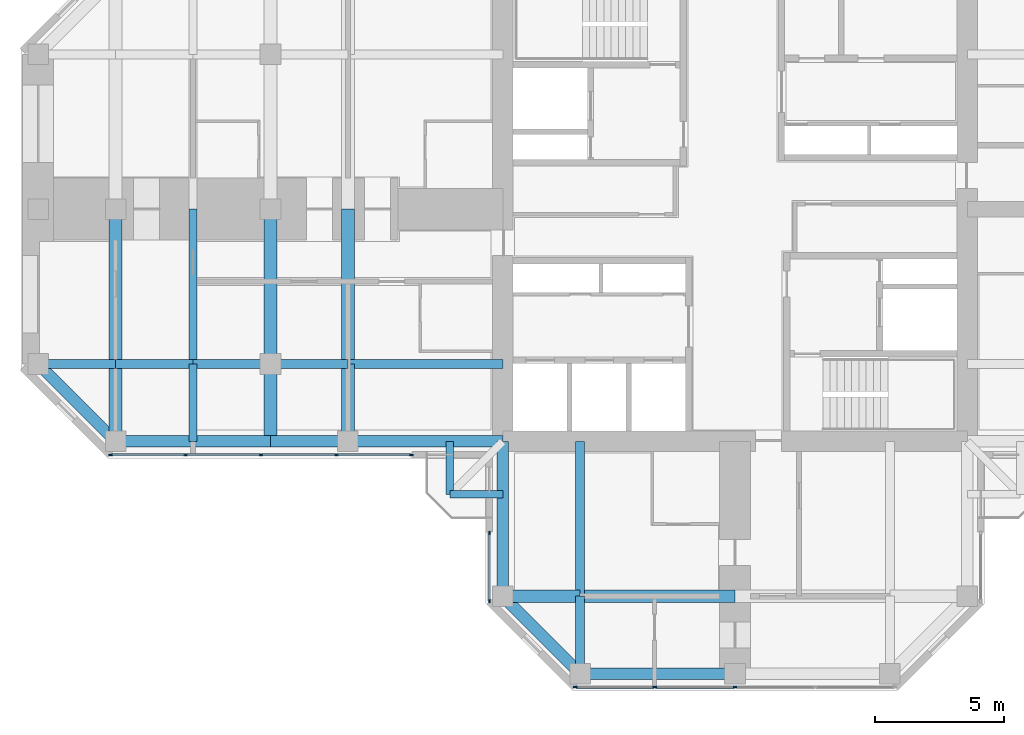
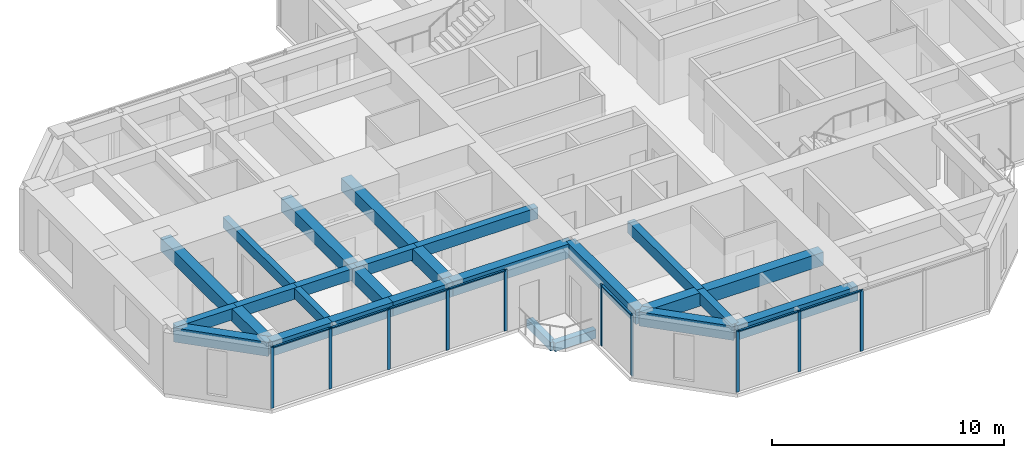
# One storey, part 2 of 13: 27 beams, 17 members, 3 elements without a shape of their own.
"""IFC4 building model written with IfcOpenShell, lengths in metres."""

import ifcopenshell
import ifcopenshell.guid

model = None  # the IFC model being written
_history = None  # IfcOwnerHistory: only IFC2X3 demands one
_inside = {}  # id of a spatial element -> (the spatial element, [elements in it])
_under = {}  # id of a project, library or spatial element -> (it, [spatial elements below it])
_declared = {}  # id of a project -> (the project, [libraries it declares])
_typed = {}  # id of a type object -> (the type object, [elements of that type])
_made_of = {}  # id of a material, layer set ... -> (it, [elements and type objects made of it])


def new_model(schema):
    """Start an empty IFC model of exactly this schema.

    Asked for "IFC4X3", IfcOpenShell would pick the latest addendum, in which some entities
    have other attributes; the version numbers below select the first issue.
    IFC2X3 requires an IfcOwnerHistory on every rooted entity: one is made here for all.
    """
    global model, _history
    if schema == "IFC4X3":
        model = ifcopenshell.file(schema_version=(4, 3, 0, 0))
    else:
        model = ifcopenshell.file(schema=schema)
    _inside.clear()
    _under.clear()
    _declared.clear()
    _typed.clear()
    _made_of.clear()
    _history = None
    if model.schema == "IFC2X3":
        org = make("IfcOrganization", Name="unknown")
        user = make(
            "IfcPersonAndOrganization",
            ThePerson=make("IfcPerson", FamilyName="unknown"),
            TheOrganization=org,
        )
        app = make(
            "IfcApplication",
            ApplicationDeveloper=org,
            Version="unknown",
            ApplicationFullName="unknown",
            ApplicationIdentifier="unknown",
        )
        _history = make(
            "IfcOwnerHistory",
            OwningUser=user,
            OwningApplication=app,
            ChangeAction="ADDED",
            CreationDate=0,
        )
    return model


def make(cls, **values):
    """One entity of the class cls with the attributes given. An attribute that is None is left unset."""
    return model.create_entity(
        cls, **{name: value for name, value in values.items() if value is not None}
    )


def rooted(cls, **values):
    """An entity with a GlobalId (a new one), such as an element, a storey or a relation."""
    return make(cls, GlobalId=ifcopenshell.guid.new(), OwnerHistory=_history, **values)


def si_unit(unit_type, name, prefix=None):
    """IfcSIUnit, for example si_unit("LENGTHUNIT", "METRE", prefix="MILLI")."""
    return make("IfcSIUnit", UnitType=unit_type, Prefix=prefix, Name=name)


def assignment(units):
    """IfcUnitAssignment: the units of a project."""
    return None if units is None else make("IfcUnitAssignment", Units=units)


def point(xyz):
    """IfcCartesianPoint."""
    return None if xyz is None else make("IfcCartesianPoint", Coordinates=xyz)


def direction(xyz):
    """IfcDirection."""
    return None if xyz is None else make("IfcDirection", DirectionRatios=xyz)


def frame(location, z_axis=None, x_axis=None):
    """IfcAxis2Placement3D, a coordinate frame: its origin and axes. An axis left out is left unset."""
    return make(
        "IfcAxis2Placement3D",
        Location=point(location),
        Axis=direction(z_axis),
        RefDirection=direction(x_axis),
    )


def frame_2d(location, x_axis=None):
    """IfcAxis2Placement2D, a coordinate frame in the plane: its origin and x axis."""
    return make(
        "IfcAxis2Placement2D", Location=point(location), RefDirection=direction(x_axis)
    )


def origin():
    """The frame at (0, 0, 0) with its axes left unset."""
    return frame((0.0, 0.0, 0.0))


def origin_2d():
    """The frame at (0, 0) in the plane with its x axis left unset."""
    return frame_2d((0.0, 0.0))


def place(relative_to, where):
    """IfcLocalPlacement: puts the frame where relative to a parent placement (None: the world)."""
    return make(
        "IfcLocalPlacement", PlacementRelTo=relative_to, RelativePlacement=where
    )


def context(
    kind, dimensions, precision=None, world=None, true_north=None, identifier=None
):
    """IfcGeometricRepresentationContext, for example the 3D "Model" context."""
    return make(
        "IfcGeometricRepresentationContext",
        ContextIdentifier=identifier,
        ContextType=kind,
        CoordinateSpaceDimension=dimensions,
        Precision=precision,
        WorldCoordinateSystem=world,
        TrueNorth=true_north,
    )


def subcontext(parent, identifier, kind, view, scale=None):
    """IfcGeometricRepresentationSubContext, for example "Body" below "Model"."""
    return make(
        "IfcGeometricRepresentationSubContext",
        ContextIdentifier=identifier,
        ContextType=kind,
        ParentContext=parent,
        TargetScale=scale,
        TargetView=view,
    )


def project(units=None, contexts=None):
    """IfcProject with its units and contexts."""
    return rooted(
        "IfcProject",
        Name="project",
        RepresentationContexts=contexts,
        UnitsInContext=assignment(units),
    )


def spatial(cls, under=None, at=None, **own):
    """A site, building, storey or space (cls), placed at a placement, below another one or the project."""
    s = rooted(cls, ObjectPlacement=at, **own)
    if under is not None:
        _under.setdefault(under.id(), (under, []))[1].append(s)
    return s


def profile(cls, at=None, kind="AREA", **sizes):
    """A parametric profile (cls). Its sizes go by their IFC names, for example OverallWidth=200.0."""
    return make(cls, ProfileType=kind, Position=at, **sizes)


def rectangle(**sizes):
    """IfcRectangleProfileDef."""
    return profile("IfcRectangleProfileDef", **sizes)


def extrude(swept, where, along, depth):
    """IfcExtrudedAreaSolid: the profile swept, set in the frame where, extruded along a direction by depth."""
    return make(
        "IfcExtrudedAreaSolid",
        SweptArea=swept,
        Position=where,
        ExtrudedDirection=direction(along),
        Depth=depth,
    )


def shape(context_of_items, identifier, shape_type, items):
    """IfcShapeRepresentation: the items that make up one representation, for example the "Body"."""
    return make(
        "IfcShapeRepresentation",
        ContextOfItems=context_of_items,
        RepresentationIdentifier=identifier,
        RepresentationType=shape_type,
        Items=items,
    )


def material(Name=None, Category=None):
    """IfcMaterial."""
    return make("IfcMaterial", Name=Name, Category=Category)


def material_profile(
    of_material, cross_section, Name=None, Category=None, Priority=None
):
    """IfcMaterialProfile: a cross section and its material."""
    return make(
        "IfcMaterialProfile",
        Name=Name,
        Material=of_material,
        Profile=cross_section,
        Priority=Priority,
        Category=Category,
    )


def profile_set(profiles, Name=None, composite=None):
    """IfcMaterialProfileSet."""
    return make(
        "IfcMaterialProfileSet",
        Name=Name,
        MaterialProfiles=profiles,
        CompositeProfile=composite,
    )


def made_of(thing, what):
    """Note that an element or type object is made of a material, layer set ...; save() writes the relation."""
    if what is not None:
        _made_of.setdefault(what.id(), (what, []))[1].append(thing)
    return thing


def type_object(cls, material=None, **own):
    """A type object (cls), such as IfcWallType, which elements share."""
    return made_of(rooted(cls, **own), material)


def element(
    cls,
    number,
    at=None,
    inside=None,
    cuts=None,
    type_object=None,
    material=None,
    context=None,
    identifier="Body",
    shape_type=None,
    held_by="IfcProductDefinitionShape",
    body=None,
    shapes=None,
    **own,
):
    """One element of the class cls, such as IfcWall. Its Tag is "e" and its number.

    at: its placement. inside: the storey or other place that contains it. cuts: it is an
    opening in that element (IfcRelVoidsElement). A single representation is given by context,
    identifier, shape_type and body (its items); several are given by shapes. held_by: the class
    of the entity that holds the representations. save() writes the other relations.
    """
    e = rooted(cls, Tag="e%d" % number, ObjectPlacement=at, **own)
    if body is not None:
        shapes = [shape(context, identifier, shape_type, body)]
    if shapes is not None:
        e.Representation = make(held_by, Representations=shapes)
    if inside is not None:
        _inside.setdefault(inside.id(), (inside, []))[1].append(e)
    if cuts is not None:
        rooted(
            "IfcRelVoidsElement", RelatingBuildingElement=cuts, RelatedOpeningElement=e
        )
    if type_object is not None:
        _typed.setdefault(type_object.id(), (type_object, []))[1].append(e)
    return made_of(e, material)


def aggregate(whole, parts):
    """IfcRelAggregates: a whole, such as a stair, and the parts it consists of."""
    return rooted("IfcRelAggregates", RelatingObject=whole, RelatedObjects=parts)


def save(model, path):
    """Write the relations noted so far, then the file.

    IfcRelAggregates (storeys below a building ...), IfcRelContainedInSpatialStructure (elements
    in a storey), IfcRelDefinesByType, IfcRelAssociatesMaterial and IfcRelDeclares: one each for
    every whole, place, type object, material and project.
    """
    for whole, parts in _under.values():
        aggregate(whole, parts)
    for where, things in _inside.values():
        rooted(
            "IfcRelContainedInSpatialStructure",
            RelatedElements=things,
            RelatingStructure=where,
        )
    for kind, things in _typed.values():
        rooted("IfcRelDefinesByType", RelatedObjects=things, RelatingType=kind)
    for what, things in _made_of.values():
        rooted("IfcRelAssociatesMaterial", RelatedObjects=things, RelatingMaterial=what)
    for by, libraries in _declared.values():
        rooted("IfcRelDeclares", RelatingContext=by, RelatedDefinitions=libraries)
    model.write(path)


model = new_model("IFC4")

# Units and contexts
model_context = context("Model", 3, precision=1e-05, world=origin(), true_north=direction((0.0, 1.0)))
body_context = subcontext(model_context, "Body", "Model", "MODEL_VIEW")
ifc_project = project(units=[si_unit("LENGTHUNIT", "METRE"), si_unit("AREAUNIT", "SQUARE_METRE"), si_unit("VOLUMEUNIT", "CUBIC_METRE"), si_unit("PLANEANGLEUNIT", "RADIAN"), si_unit("MASSUNIT", "GRAM", prefix="KILO")], contexts=[model_context])

# Site, building, storey
site_placement = place(None, origin())
site = spatial("IfcSite", under=ifc_project, at=site_placement, CompositionType="ELEMENT")
building_placement = place(site_placement, origin())
building = spatial("IfcBuilding", under=site, at=building_placement, Name="Torre Cruceta", CompositionType="ELEMENT")
storey_placement = place(building_placement, frame((0.0, 0.0, 245.89990234375)))
storey = spatial("IfcBuildingStorey", under=building, at=storey_placement, Name="L63", CompositionType="ELEMENT", Elevation=245.89990234375)

# Beams
ifc_material_1 = material(Name="Concrete G60 (fck 60 MPa)", Category="concrete")
ifc_material_profile_1 = material_profile(ifc_material_1, rectangle(XDim=0.300048828125, YDim=0.449951171875, at=origin_2d()), Name="RC 300X450")
ifc_profile_set_1 = profile_set([ifc_material_profile_1], Name="Concrete G60 (fck 60 MPa)")
beam_type_1 = type_object("IfcBeamType", Name="BALCONY CANTILEVER BEAM RC 300X450", PredefinedType="BEAM", material=ifc_profile_set_1)
for number, where, z_axis, x_axis, name in (
    (1, (-11.050537109375, -9.0, -0.40478515625), (0.0, -1.0, 0.0), (1.0, 0.0, 0.0), "BB1 balcony edge beam L63 W-X"),
    (2, (-9.0, -11.050537109375, -0.40478515625), (-1.0, 0.0, 0.0), (0.0, -1.0, 0.0), "BB1 balcony edge beam L63 W-Y"),
):
    element("IfcBeam", number, at=place(storey_placement, frame(where, z_axis=z_axis, x_axis=x_axis)), inside=storey, type_object=beam_type_1, Name=name, PredefinedType="BEAM", context=body_context, shape_type="SweptSolid", body=[
        extrude(rectangle(XDim=0.300048828125, YDim=0.449951171875, at=origin_2d()), origin(), (0.0, 0.0, 1.0), 2.050537109375),
    ])
ifc_material_2 = material(Name="Concrete G60 (fck 60 MPa)", Category="concrete")
ifc_material_profile_2 = material_profile(ifc_material_2, rectangle(XDim=0.35009765625, YDim=0.60009765625, at=origin_2d()), Name="RC 350X600")
ifc_profile_set_2 = profile_set([ifc_material_profile_2], Name="Concrete G60 (fck 60 MPa)")
beam_type_2 = type_object("IfcBeamType", Name="COLUMN LINE BEAM RC 350X600", PredefinedType="BEAM", material=ifc_profile_set_2)
beam_1_placement = place(storey_placement, frame((-6.0, -9.0, 2.920166015625), z_axis=(0.0, -1.0, 0.0), x_axis=(1.0, 0.0, 0.0)))
element("IfcBeam", 3, at=beam_1_placement, inside=storey, type_object=beam_type_2, Name="LB9 L63 S col- 1", PredefinedType="BEAM", context=body_context, shape_type="SweptSolid", body=[
    extrude(rectangle(XDim=0.35009765625, YDim=0.60009765625, at=origin_2d()), origin(), (0.0, 0.0, 1.0), 6.0),
])
beam_2_placement = place(storey_placement, frame((-6.0, -15.0, 2.920166015625), z_axis=(0.0, -1.0, 0.0), x_axis=(1.0, 0.0, 0.0)))
element("IfcBeam", 4, at=beam_2_placement, inside=storey, type_object=beam_type_2, Name="LB9 L63 S col- 2", PredefinedType="BEAM", context=body_context, shape_type="SweptSolid", body=[
    extrude(rectangle(XDim=0.35009765625, YDim=0.60009765625, at=origin_2d()), origin(), (0.0, 0.0, 1.0), 3.0),
])
beam_3_placement = place(storey_placement, frame((-9.0, -6.0, 2.920166015625), z_axis=(-1.0, 0.0, 0.0), x_axis=(0.0, -1.0, 0.0)))
element("IfcBeam", 5, at=beam_3_placement, inside=storey, type_object=beam_type_2, Name="LB9 L63 W col+ 1", PredefinedType="BEAM", context=body_context, shape_type="SweptSolid", body=[
    extrude(rectangle(XDim=0.35009765625, YDim=0.60009765625, at=origin_2d()), origin(), (0.0, 0.0, 1.0), 6.0),
])
for number, where, z_axis, x_axis, name in (
    (6, (-15.0, -6.0, 2.920166015625), (-1.0, 0.0, 0.0), (0.0, -1.0, 0.0), "LB9 L63 W col+ 2"),
    (7, (-18.0, -6.0, 2.920166015625), (-1.0, 0.0, 0.0), (0.0, -1.0, 0.0), "LB9 L63 W col+ 3"),
    (8, (-21.0, -6.0, 2.920166015625), (-1.0, 0.0, 0.0), (0.0, -1.0, 0.0), "LB9 L63 W col+ 4"),
    (9, (-24.0, -6.0, 2.920166015625), (-1.0, 0.0, 0.0), (0.0, -1.0, 0.0), "LB9 L63 W col+ 5"),
):
    element("IfcBeam", number, at=place(storey_placement, frame(where, z_axis=z_axis, x_axis=x_axis)), inside=storey, type_object=beam_type_2, Name=name, PredefinedType="BEAM", context=body_context, shape_type="SweptSolid", body=[
        extrude(rectangle(XDim=0.35009765625, YDim=0.60009765625, at=origin_2d()), origin(), (0.0, 0.0, 1.0), 3.0),
    ])
ifc_material_3 = material(Name="Concrete G60 (fck 60 MPa)", Category="concrete")
ifc_material_profile_3 = material_profile(ifc_material_3, rectangle(XDim=0.5, YDim=0.699951171875, at=origin_2d()), Name="RC 500X700")
ifc_profile_set_3 = profile_set([ifc_material_profile_3], Name="Concrete G60 (fck 60 MPa)")
beam_type_3 = type_object("IfcBeamType", Name="CROSS BEAM RC 500X700", PredefinedType="BEAM", material=ifc_profile_set_3)
beam_4_placement = place(storey_placement, frame((-9.0, -15.0, 2.8701171875), z_axis=(1.0, 0.0, 0.0), x_axis=(0.0, 1.0, 0.0)))
element("IfcBeam", 10, at=beam_4_placement, inside=storey, type_object=beam_type_3, Name="GB7 L63 S cross15 1", PredefinedType="BEAM", context=body_context, shape_type="SweptSolid", body=[
    extrude(rectangle(XDim=0.5, YDim=0.699951171875, at=origin_2d()), origin(), (0.0, 0.0, 1.0), 3.0),
])
for number, where, z_axis, x_axis, name in (
    (11, (-6.0, -15.0, 2.8701171875), (1.0, 0.0, 0.0), (0.0, 1.0, 0.0), "GB7 L63 S cross15 2"),
    (12, (-15.0, 0.0, 2.8701171875), (0.0, -1.0, 0.0), (1.0, 0.0, 0.0), "GB7 L63 W cross15 3"),
):
    element("IfcBeam", number, at=place(storey_placement, frame(where, z_axis=z_axis, x_axis=x_axis)), inside=storey, type_object=beam_type_3, Name=name, PredefinedType="BEAM", context=body_context, shape_type="SweptSolid", body=[
        extrude(rectangle(XDim=0.5, YDim=0.699951171875, at=origin_2d()), origin(), (0.0, 0.0, 1.0), 6.0),
    ])
beam_5_placement = place(storey_placement, frame((-15.0, -6.0, 2.8701171875), z_axis=(0.0, -1.0, 0.0), x_axis=(1.0, 0.0, 0.0)))
element("IfcBeam", 13, at=beam_5_placement, inside=storey, type_object=beam_type_3, Name="GB7 L63 W cross15 4", PredefinedType="BEAM", context=body_context, shape_type="SweptSolid", body=[
    extrude(rectangle(XDim=0.5, YDim=0.699951171875, at=origin_2d()), origin(), (0.0, 0.0, 1.0), 3.0),
])
beam_6_placement = place(storey_placement, frame((-18.0, 0.0, 2.8701171875), z_axis=(0.0, -1.0, 0.0), x_axis=(1.0, 0.0, 0.0)))
element("IfcBeam", 14, at=beam_6_placement, inside=storey, type_object=beam_type_3, Name="GB7 L63 W cross18 3", PredefinedType="BEAM", context=body_context, shape_type="SweptSolid", body=[
    extrude(rectangle(XDim=0.5, YDim=0.699951171875, at=origin_2d()), origin(), (0.0, 0.0, 1.0), 6.0),
])
beam_7_placement = place(storey_placement, frame((-18.0, -6.0, 2.8701171875), z_axis=(0.0, -1.0, 0.0), x_axis=(1.0, 0.0, 0.0)))
element("IfcBeam", 15, at=beam_7_placement, inside=storey, type_object=beam_type_3, Name="GB7 L63 W cross18 4", PredefinedType="BEAM", context=body_context, shape_type="SweptSolid", body=[
    extrude(rectangle(XDim=0.5, YDim=0.699951171875, at=origin_2d()), origin(), (0.0, 0.0, 1.0), 3.0),
])
beam_8_placement = place(storey_placement, frame((-24.0, 0.0, 2.8701171875), z_axis=(0.0, -1.0, 0.0), x_axis=(1.0, 0.0, 0.0)))
element("IfcBeam", 16, at=beam_8_placement, inside=storey, type_object=beam_type_3, Name="GB7 L63 W cross24 3", PredefinedType="BEAM", context=body_context, shape_type="SweptSolid", body=[
    extrude(rectangle(XDim=0.5, YDim=0.699951171875, at=origin_2d()), origin(), (0.0, 0.0, 1.0), 6.0),
])
beam_9_placement = place(storey_placement, frame((-24.0, -6.0, 2.8701171875), z_axis=(0.0, -1.0, 0.0), x_axis=(1.0, 0.0, 0.0)))
element("IfcBeam", 17, at=beam_9_placement, inside=storey, type_object=beam_type_3, Name="GB7 L63 W cross24 4", PredefinedType="BEAM", context=body_context, shape_type="SweptSolid", body=[
    extrude(rectangle(XDim=0.5, YDim=0.699951171875, at=origin_2d()), origin(), (0.0, 0.0, 1.0), 3.0),
])

# Curtain wall, members
ifc_material_4 = material(Name="Aluminium unitised curtain wall", Category="aluminium")
curtain_wall_type = type_object("IfcCurtainWallType", Name="CURTAIN WALL CW-D CO-LIVING UPPER", PredefinedType="USERDEFINED", material=ifc_material_4)
curtain_wall_1_placement = place(storey_placement, origin())
curtain_wall_1 = element("IfcCurtainWall", 18, at=curtain_wall_1_placement, inside=storey, type_object=curtain_wall_type, Name="CW-D L63 W side 14", ObjectType="UNITISED", PredefinedType="USERDEFINED")
ifc_material_5 = material(Name="Aluminium mullion", Category="aluminium")
ifc_material_profile_4 = material_profile(ifc_material_5, rectangle(XDim=0.06005859375, YDim=0.14990234375, at=origin_2d()), Name="AL 60X150")
ifc_profile_set_4 = profile_set([ifc_material_profile_4], Name="Aluminium mullion")
member_type_1 = type_object("IfcMemberType", Name="CW-D MULLION 60X150", PredefinedType="MULLION", material=ifc_profile_set_4)
member_1_placement = place(storey_placement, frame((-24.185302734375, -9.52001953125, 0.0), z_axis=(0.0, 0.0, 1.0), x_axis=(0.0, 1.0, 0.0)))
member_1 = element("IfcMember", 19, at=member_1_placement, type_object=member_type_1, Name="CW-D mullion 1", PredefinedType="MULLION", context=body_context, shape_type="SweptSolid", body=[
    extrude(rectangle(XDim=0.06005859375, YDim=0.14990234375, at=origin_2d()), origin(), (0.0, 0.0, 1.0), 3.22021484375),
])
member_2_placement = place(storey_placement, frame((-21.29150390625, -9.52001953125, 0.0), z_axis=(0.0, 0.0, 1.0), x_axis=(0.0, 1.0, 0.0)))
member_2 = element("IfcMember", 20, at=member_2_placement, type_object=member_type_1, Name="CW-D mullion 2", PredefinedType="MULLION", context=body_context, shape_type="SweptSolid", body=[
    extrude(rectangle(XDim=0.06005859375, YDim=0.14990234375, at=origin_2d()), origin(), (0.0, 0.0, 1.0), 3.22021484375),
])
member_3_placement = place(storey_placement, frame((-18.36767578125, -9.52001953125, 0.0), z_axis=(0.0, 0.0, 1.0), x_axis=(0.0, 1.0, 0.0)))
member_3 = element("IfcMember", 21, at=member_3_placement, type_object=member_type_1, Name="CW-D mullion 3", PredefinedType="MULLION", context=body_context, shape_type="SweptSolid", body=[
    extrude(rectangle(XDim=0.06005859375, YDim=0.14990234375, at=origin_2d()), origin(), (0.0, 0.0, 1.0), 3.22021484375),
])
member_4_placement = place(storey_placement, frame((-15.44384765625, -9.52001953125, 0.0), z_axis=(0.0, 0.0, 1.0), x_axis=(0.0, 1.0, 0.0)))
member_4 = element("IfcMember", 22, at=member_4_placement, type_object=member_type_1, Name="CW-D mullion 4", PredefinedType="MULLION", context=body_context, shape_type="SweptSolid", body=[
    extrude(rectangle(XDim=0.06005859375, YDim=0.14990234375, at=origin_2d()), origin(), (0.0, 0.0, 1.0), 3.22021484375),
])
member_5_placement = place(storey_placement, frame((-12.550048828125, -9.52001953125, 0.0), z_axis=(0.0, 0.0, 1.0), x_axis=(0.0, 1.0, 0.0)))
member_5 = element("IfcMember", 23, at=member_5_placement, type_object=member_type_1, Name="CW-D mullion 5", PredefinedType="MULLION", context=body_context, shape_type="SweptSolid", body=[
    extrude(rectangle(XDim=0.06005859375, YDim=0.14990234375, at=origin_2d()), origin(), (0.0, 0.0, 1.0), 3.22021484375),
])

curtain_wall_2_placement = place(storey_placement, origin())
curtain_wall_2 = element("IfcCurtainWall", 24, at=curtain_wall_2_placement, inside=storey, type_object=curtain_wall_type, Name="CW-D L63 S side 15", ObjectType="UNITISED", PredefinedType="USERDEFINED")
member_6_placement = place(storey_placement, frame((-9.52001953125, -12.550048828125, 0.0), z_axis=(0.0, 0.0, 1.0), x_axis=(1.0, 0.0, 0.0)))
member_6 = element("IfcMember", 25, at=member_6_placement, type_object=member_type_1, Name="CW-D mullion 1", PredefinedType="MULLION", context=body_context, shape_type="SweptSolid", body=[
    extrude(rectangle(XDim=0.06005859375, YDim=0.14990234375, at=origin_2d()), origin(), (0.0, 0.0, 1.0), 3.22021484375),
])
member_7_placement = place(storey_placement, frame((-9.52001953125, -15.185302734375, 0.0), z_axis=(0.0, 0.0, 1.0), x_axis=(1.0, 0.0, 0.0)))
member_7 = element("IfcMember", 26, at=member_7_placement, type_object=member_type_1, Name="CW-D mullion 2", PredefinedType="MULLION", context=body_context, shape_type="SweptSolid", body=[
    extrude(rectangle(XDim=0.06005859375, YDim=0.14990234375, at=origin_2d()), origin(), (0.0, 0.0, 1.0), 3.22021484375),
])

curtain_wall_3_placement = place(storey_placement, origin())
curtain_wall_3 = element("IfcCurtainWall", 27, at=curtain_wall_3_placement, inside=storey, type_object=curtain_wall_type, Name="CW-D L63 S tip 17", ObjectType="UNITISED", PredefinedType="USERDEFINED")
member_8_placement = place(storey_placement, frame((-6.185302734375, -18.52001953125, 0.0), z_axis=(0.0, 0.0, 1.0), x_axis=(0.0, 1.0, 0.0)))
member_8 = element("IfcMember", 28, at=member_8_placement, type_object=member_type_1, Name="CW-D mullion 1", PredefinedType="MULLION", context=body_context, shape_type="SweptSolid", body=[
    extrude(rectangle(XDim=0.06005859375, YDim=0.14990234375, at=origin_2d()), origin(), (0.0, 0.0, 1.0), 3.22021484375),
])
member_9_placement = place(storey_placement, frame((-3.107666015625, -18.52001953125, 0.0), z_axis=(0.0, 0.0, 1.0), x_axis=(0.0, 1.0, 0.0)))
member_9 = element("IfcMember", 29, at=member_9_placement, type_object=member_type_1, Name="CW-D mullion 2", PredefinedType="MULLION", context=body_context, shape_type="SweptSolid", body=[
    extrude(rectangle(XDim=0.06005859375, YDim=0.14990234375, at=origin_2d()), origin(), (0.0, 0.0, 1.0), 3.22021484375),
])
member_10_placement = place(storey_placement, frame((0.0, -18.52001953125, 0.0), z_axis=(0.0, 0.0, 1.0), x_axis=(0.0, 1.0, 0.0)))
member_10 = element("IfcMember", 30, at=member_10_placement, type_object=member_type_1, Name="CW-D mullion 3", PredefinedType="MULLION", context=body_context, shape_type="SweptSolid", body=[
    extrude(rectangle(XDim=0.06005859375, YDim=0.14990234375, at=origin_2d()), origin(), (0.0, 0.0, 1.0), 3.22021484375),
])

# Member
ifc_material_6 = material(Name="Aluminium transom", Category="aluminium")
ifc_material_profile_5 = material_profile(ifc_material_6, rectangle(XDim=0.10009765625, YDim=0.06005859375, at=origin_2d()), Name="AL 100X60")
ifc_profile_set_5 = profile_set([ifc_material_profile_5], Name="Aluminium transom")
member_type_2 = type_object("IfcMemberType", Name="CW-D TRANSOM 60X100", PredefinedType="USERDEFINED", material=ifc_profile_set_5)
member_11_placement = place(storey_placement, frame((-24.1552734375, -9.52001953125, 3.190185546875), z_axis=(1.0, 0.0, 0.0), x_axis=(0.0, 1.0, 0.0)))
member_11 = element("IfcMember", 31, at=member_11_placement, type_object=member_type_2, Name="CW-D transom 1", ObjectType="TRANSOM", PredefinedType="USERDEFINED", context=body_context, shape_type="SweptSolid", body=[
    extrude(rectangle(XDim=0.10009765625, YDim=0.06005859375, at=origin_2d()), origin(), (0.0, 0.0, 1.0), 2.833740234375),
])

member_12_placement = place(storey_placement, frame((-21.261474609375, -9.52001953125, 3.190185546875), z_axis=(1.0, 0.0, 0.0), x_axis=(0.0, 1.0, 0.0)))
member_12 = element("IfcMember", 32, at=member_12_placement, type_object=member_type_2, Name="CW-D transom 2", ObjectType="TRANSOM", PredefinedType="USERDEFINED", context=body_context, shape_type="SweptSolid", body=[
    extrude(rectangle(XDim=0.10009765625, YDim=0.06005859375, at=origin_2d()), origin(), (0.0, 0.0, 1.0), 2.86376953125),
])

member_13_placement = place(storey_placement, frame((-18.337646484375, -9.52001953125, 3.190185546875), z_axis=(1.0, 0.0, 0.0), x_axis=(0.0, 1.0, 0.0)))
member_13 = element("IfcMember", 33, at=member_13_placement, type_object=member_type_2, Name="CW-D transom 3", ObjectType="TRANSOM", PredefinedType="USERDEFINED", context=body_context, shape_type="SweptSolid", body=[
    extrude(rectangle(XDim=0.10009765625, YDim=0.06005859375, at=origin_2d()), origin(), (0.0, 0.0, 1.0), 2.86376953125),
])

member_14_placement = place(storey_placement, frame((-15.413818359375, -9.52001953125, 3.190185546875), z_axis=(1.0, 0.0, 0.0), x_axis=(0.0, 1.0, 0.0)))
member_14 = element("IfcMember", 34, at=member_14_placement, type_object=member_type_2, Name="CW-D transom 4", ObjectType="TRANSOM", PredefinedType="USERDEFINED", context=body_context, shape_type="SweptSolid", body=[
    extrude(rectangle(XDim=0.10009765625, YDim=0.06005859375, at=origin_2d()), origin(), (0.0, 0.0, 1.0), 2.833740234375),
])

aggregate(curtain_wall_1, [member_1, member_2, member_3, member_4, member_5, member_11, member_12, member_13, member_14])

member_15_placement = place(storey_placement, frame((-9.52001953125, -12.580078125, 3.190185546875), z_axis=(0.0, -1.0, 0.0), x_axis=(1.0, 0.0, 0.0)))
member_15 = element("IfcMember", 35, at=member_15_placement, type_object=member_type_2, Name="CW-D transom 1", ObjectType="TRANSOM", PredefinedType="USERDEFINED", context=body_context, shape_type="SweptSolid", body=[
    extrude(rectangle(XDim=0.10009765625, YDim=0.06005859375, at=origin_2d()), origin(), (0.0, 0.0, 1.0), 2.5751953125),
])

aggregate(curtain_wall_2, [member_6, member_7, member_15])

member_16_placement = place(storey_placement, frame((-6.1552734375, -18.52001953125, 3.190185546875), z_axis=(1.0, 0.0, 0.0), x_axis=(0.0, 1.0, 0.0)))
member_16 = element("IfcMember", 36, at=member_16_placement, type_object=member_type_2, Name="CW-D transom 1", ObjectType="TRANSOM", PredefinedType="USERDEFINED", context=body_context, shape_type="SweptSolid", body=[
    extrude(rectangle(XDim=0.10009765625, YDim=0.06005859375, at=origin_2d()), origin(), (0.0, 0.0, 1.0), 3.017578125),
])

member_17_placement = place(storey_placement, frame((-3.07763671875, -18.52001953125, 3.190185546875), z_axis=(1.0, 0.0, 0.0), x_axis=(0.0, 1.0, 0.0)))
member_17 = element("IfcMember", 37, at=member_17_placement, type_object=member_type_2, Name="CW-D transom 2", ObjectType="TRANSOM", PredefinedType="USERDEFINED", context=body_context, shape_type="SweptSolid", body=[
    extrude(rectangle(XDim=0.10009765625, YDim=0.06005859375, at=origin_2d()), origin(), (0.0, 0.0, 1.0), 3.047607421875),
])

aggregate(curtain_wall_3, [member_8, member_9, member_10, member_16, member_17])

# Beams
ifc_material_7 = material(Name="Concrete G60 (fck 60 MPa)", Category="concrete")
ifc_material_profile_6 = material_profile(ifc_material_7, rectangle(XDim=0.300048828125, YDim=0.550048828125, at=origin_2d()), Name="RC 300X550")
ifc_profile_set_6 = profile_set([ifc_material_profile_6], Name="Concrete G60 (fck 60 MPa)")
beam_type_4 = type_object("IfcBeamType", Name="SECONDARY BEAM RC 300X550", PredefinedType="JOIST", material=ifc_profile_set_6)
beam_10_placement = place(storey_placement, frame((-21.0, 0.0, 2.945068359375), z_axis=(0.0, -1.0, 0.0), x_axis=(1.0, 0.0, 0.0)))
element("IfcBeam", 38, at=beam_10_placement, inside=storey, type_object=beam_type_4, Name="JB7 L63 W sec21 3", PredefinedType="JOIST", context=body_context, shape_type="SweptSolid", body=[
    extrude(rectangle(XDim=0.300048828125, YDim=0.550048828125, at=origin_2d()), origin(), (0.0, 0.0, 1.0), 6.0),
])
beam_11_placement = place(storey_placement, frame((-21.0, -6.0, 2.945068359375), z_axis=(0.0, -1.0, 0.0), x_axis=(1.0, 0.0, 0.0)))
element("IfcBeam", 39, at=beam_11_placement, inside=storey, type_object=beam_type_4, Name="JB7 L63 W sec21 4", PredefinedType="JOIST", context=body_context, shape_type="SweptSolid", body=[
    extrude(rectangle(XDim=0.300048828125, YDim=0.550048828125, at=origin_2d()), origin(), (0.0, 0.0, 1.0), 3.0),
])
ifc_material_8 = material(Name="Concrete G60 (fck 60 MPa)", Category="concrete")
ifc_material_profile_7 = material_profile(ifc_material_8, rectangle(XDim=0.449951171875, YDim=0.75, at=origin_2d()), Name="RC 450X750")
ifc_profile_set_7 = profile_set([ifc_material_profile_7], Name="Concrete G60 (fck 60 MPa)")
beam_type_5 = type_object("IfcBeamType", Name="SPANDREL BEAM RC 450X750", PredefinedType="SPANDREL", material=ifc_profile_set_7)
beam_12_placement = place(storey_placement, frame((-9.0, -9.0, 2.84521484375), z_axis=(0.0, -1.0, 0.0), x_axis=(1.0, 0.0, 0.0)))
element("IfcBeam", 40, at=beam_12_placement, inside=storey, type_object=beam_type_5, Name="SB7 L63 S side- 1", PredefinedType="SPANDREL", context=body_context, shape_type="SweptSolid", body=[
    extrude(rectangle(XDim=0.449951171875, YDim=0.75, at=origin_2d()), origin(), (0.0, 0.0, 1.0), 6.0),
])
beam_13_placement = place(storey_placement, frame((-9.0, -15.0, 2.84521484375), z_axis=(0.707106781187, -0.707106781187, 0.0), x_axis=(0.707106781187, 0.707106781187, 0.0)))
element("IfcBeam", 41, at=beam_13_placement, inside=storey, type_object=beam_type_5, Name="SB7 L63 S side- 2", PredefinedType="SPANDREL", context=body_context, shape_type="SweptSolid", body=[
    extrude(rectangle(XDim=0.449951171875, YDim=0.75, at=origin_2d()), origin(), (0.0, 0.0, 1.0), 4.24267578125),
])
for number, where, z_axis, x_axis, name in (
    (42, (-6.0, -18.0, 2.84521484375), (1.0, 0.0, 0.0), (0.0, 1.0, 0.0), "SB7 L63 S tip 1"),
    (43, (-9.0, -9.0, 2.84521484375), (-1.0, 0.0, 0.0), (0.0, -1.0, 0.0), "SB7 L63 W side+ 1"),
):
    element("IfcBeam", number, at=place(storey_placement, frame(where, z_axis=z_axis, x_axis=x_axis)), inside=storey, type_object=beam_type_5, Name=name, PredefinedType="SPANDREL", context=body_context, shape_type="SweptSolid", body=[
        extrude(rectangle(XDim=0.449951171875, YDim=0.75, at=origin_2d()), origin(), (0.0, 0.0, 1.0), 6.0),
    ])
for number, where, z_axis, x_axis, name in (
    (44, (-15.0, -9.0, 2.84521484375), (-1.0, 0.0, 0.0), (0.0, -1.0, 0.0), "SB7 L63 W side+ 2"),
    (45, (-18.0, -9.0, 2.84521484375), (-1.0, 0.0, 0.0), (0.0, -1.0, 0.0), "SB7 L63 W side+ 3"),
    (46, (-21.0, -9.0, 2.84521484375), (-1.0, 0.0, 0.0), (0.0, -1.0, 0.0), "SB7 L63 W side+ 4"),
):
    element("IfcBeam", number, at=place(storey_placement, frame(where, z_axis=z_axis, x_axis=x_axis)), inside=storey, type_object=beam_type_5, Name=name, PredefinedType="SPANDREL", context=body_context, shape_type="SweptSolid", body=[
        extrude(rectangle(XDim=0.449951171875, YDim=0.75, at=origin_2d()), origin(), (0.0, 0.0, 1.0), 3.0),
    ])
beam_14_placement = place(storey_placement, frame((-24.0, -9.0, 2.84521484375), z_axis=(-0.707106781187, 0.707106781187, 0.0), x_axis=(-0.707106781187, -0.707106781187, 0.0)))
element("IfcBeam", 47, at=beam_14_placement, inside=storey, type_object=beam_type_5, Name="SB7 L63 W side+ 5", PredefinedType="SPANDREL", context=body_context, shape_type="SweptSolid", body=[
    extrude(rectangle(XDim=0.449951171875, YDim=0.75, at=origin_2d()), origin(), (0.0, 0.0, 1.0), 4.24267578125),
])

save(model, "model.ifc")
